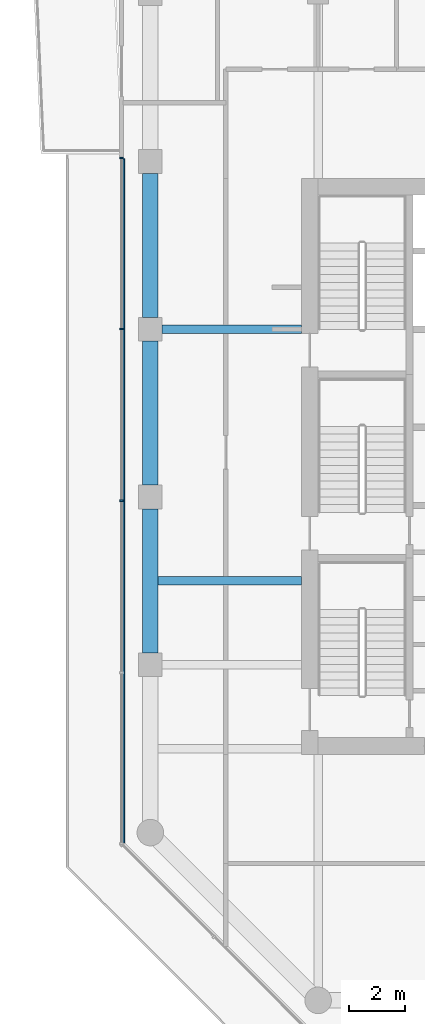
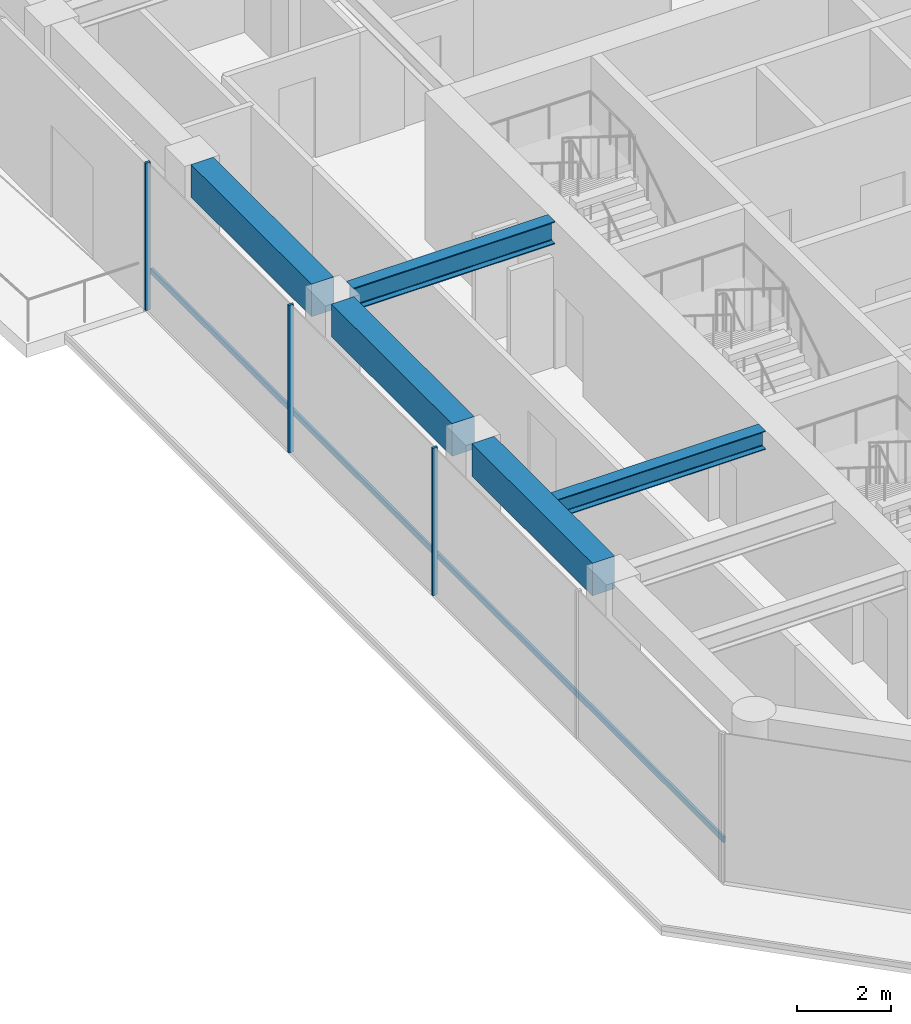
# One storey, part 5 of 21: 5 beams, 4 members, 1 element without a shape of its own.
"""IFC4 building model written with IfcOpenShell, lengths in metres."""

from ifc_helpers import new_model, si_unit, direction, frame, origin, origin_2d, place, context, subcontext, project, spatial, rectangle, i_section, extrude, material, layer, layer_set, material_profile, profile_set, type_object, element, aggregate, save


model = new_model("IFC4")

# Units and contexts
model_context = context("Model", 3, precision=1e-05, world=origin(), true_north=direction((0.0, 1.0)))
body_context = subcontext(model_context, "Body", "Model", "MODEL_VIEW")
ifc_project = project(units=[si_unit("LENGTHUNIT", "METRE"), si_unit("AREAUNIT", "SQUARE_METRE"), si_unit("VOLUMEUNIT", "CUBIC_METRE"), si_unit("PLANEANGLEUNIT", "RADIAN"), si_unit("MASSUNIT", "GRAM", prefix="KILO")], contexts=[model_context])

# Site, building, storey
site_placement = place(None, origin())
site = spatial("IfcSite", under=ifc_project, at=site_placement, CompositionType="ELEMENT")
building_placement = place(site_placement, origin())
building = spatial("IfcBuilding", under=site, at=building_placement, Name="Welwitschia Terrace Campus", CompositionType="ELEMENT")
storey_placement = place(building_placement, frame((0.0, 0.0, 180.199951171875)))
storey = spatial("IfcBuildingStorey", under=building, at=storey_placement, Name="L40", CompositionType="ELEMENT", Elevation=180.199951171875)

# Beam
ifc_material_1 = material(Name="Steel S355", Category="steel")
ifc_material_profile_1 = material_profile(ifc_material_1, i_section(OverallWidth=0.300048828125, OverallDepth=0.489990234375, WebThickness=0.011962890625, FlangeThickness=0.02294921875, FilletRadius=0.027099609375, at=origin_2d()))
ifc_profile_set_1 = profile_set([ifc_material_profile_1], Name="Steel S355")
beam_type_1 = type_object("IfcBeamType", Name="Interior girder HE 500 A", PredefinedType="BEAM", material=ifc_profile_set_1)
beam_1_placement = place(storey_placement, frame((-0.010009765625, 11.0, 3.60498046875), z_axis=(1.0, 0.0, 0.0), x_axis=(0.0, 1.0, 0.0)))
element("IfcBeam", 1, at=beam_1_placement, inside=storey, type_object=beam_type_1, Name="Girder GB4", PredefinedType="BEAM", context=body_context, shape_type="SweptSolid", body=[
    extrude(i_section(OverallWidth=0.300048828125, OverallDepth=0.489990234375, WebThickness=0.011962890625, FlangeThickness=0.02294921875, FilletRadius=0.027099609375, at=origin_2d()), origin(), (0.0, 0.0, 1.0), 5.408935546875),
])

# Curtain wall, members
ifc_material_2 = material(Name="Bronze anodised aluminium", Category="aluminium")
ifc_layer = layer(ifc_material_2, 0.1201171875)
ifc_layer_set = layer_set([ifc_layer], Name="Bronze anodised aluminium")
curtain_wall_type = type_object("IfcCurtainWallType", Name="Curtain wall CW2 tower 6000", PredefinedType="NOTDEFINED", material=ifc_layer_set)
curtain_wall_placement = place(storey_placement, origin())
curtain_wall = element("IfcCurtainWall", 2, at=curtain_wall_placement, inside=storey, type_object=curtain_wall_type, Name="CW L40.10.6", PredefinedType="NOTDEFINED")
ifc_material_3 = material(Name="Bronze anodised aluminium", Category="aluminium")
ifc_material_profile_2 = material_profile(ifc_material_3, rectangle(XDim=0.1201171875, YDim=0.06005859375, at=origin_2d()))
ifc_profile_set_2 = profile_set([ifc_material_profile_2], Name="Bronze anodised aluminium")
member_type_1 = type_object("IfcMemberType", Name="Mullion 60x120", PredefinedType="MULLION", material=ifc_profile_set_2)
member_1_placement = place(storey_placement, frame((-1.030029296875, 26.1259765625, 0.0), z_axis=(0.0, 0.0, 1.0), x_axis=(1.0, 0.0, 0.0)))
member_1 = element("IfcMember", 3, at=member_1_placement, type_object=member_type_1, Name="Mullion L40.10.6.0", PredefinedType="MULLION", context=body_context, shape_type="SweptSolid", body=[
    extrude(rectangle(XDim=0.1201171875, YDim=0.06005859375, at=origin_2d()), origin(), (0.0, 0.0, 1.0), 3.85009765625),
])
member_2_placement = place(storey_placement, frame((-1.030029296875, 20.01025390625, 0.0), z_axis=(0.0, 0.0, 1.0), x_axis=(1.0, 0.0, 0.0)))
member_2 = element("IfcMember", 4, at=member_2_placement, type_object=member_type_1, Name="Mullion L40.10.6.1", PredefinedType="MULLION", context=body_context, shape_type="SweptSolid", body=[
    extrude(rectangle(XDim=0.1201171875, YDim=0.06005859375, at=origin_2d()), origin(), (0.0, 0.0, 1.0), 3.85009765625),
])
member_3_placement = place(storey_placement, frame((-1.030029296875, 13.86474609375, 0.0), z_axis=(0.0, 0.0, 1.0), x_axis=(1.0, 0.0, 0.0)))
member_3 = element("IfcMember", 5, at=member_3_placement, type_object=member_type_1, Name="Mullion L40.10.6.2", PredefinedType="MULLION", context=body_context, shape_type="SweptSolid", body=[
    extrude(rectangle(XDim=0.1201171875, YDim=0.06005859375, at=origin_2d()), origin(), (0.0, 0.0, 1.0), 3.85009765625),
])

# Beams
ifc_material_4 = material(Name="Steel S355", Category="steel")
ifc_material_profile_3 = material_profile(ifc_material_4, i_section(OverallWidth=0.300048828125, OverallDepth=0.590087890625, WebThickness=0.012939453125, FlangeThickness=0.02490234375, FilletRadius=0.027099609375, at=origin_2d()))
ifc_profile_set_3 = profile_set([ifc_material_profile_3], Name="Steel S355")
beam_type_2 = type_object("IfcBeamType", Name="Primary beam HE 600 A", PredefinedType="BEAM", material=ifc_profile_set_3)
beam_2_placement = place(storey_placement, frame((0.425537109375, 20.0, 3.554931640625), z_axis=(1.0, 0.0, 0.0), x_axis=(0.0, 1.0, 0.0)))
element("IfcBeam", 6, at=beam_2_placement, inside=storey, type_object=beam_type_2, Name="Primary beam PB4", PredefinedType="BEAM", context=body_context, shape_type="SweptSolid", body=[
    extrude(i_section(OverallWidth=0.300048828125, OverallDepth=0.590087890625, WebThickness=0.012939453125, FlangeThickness=0.02490234375, FilletRadius=0.027099609375, at=origin_2d()), origin(), (0.0, 0.0, 1.0), 4.974365234375),
])
ifc_material_5 = material(Name="Concrete C50/60", Category="concrete")
ifc_material_profile_4 = material_profile(ifc_material_5, rectangle(XDim=0.550048828125, YDim=0.85009765625, at=origin_2d()))
ifc_profile_set_4 = profile_set([ifc_material_profile_4], Name="Concrete C50/60")
beam_type_3 = type_object("IfcBeamType", Name="Ring spandrel 550x850", PredefinedType="SPANDREL", material=ifc_profile_set_4)
for number, where, z_axis, x_axis, name in (
    (7, (0.0, 25.574462890625, 3.425048828125), (0.0, -1.0, 0.0), (1.0, 0.0, 0.0), "Spandrel SP3"),
    (8, (0.0, 19.574462890625, 3.425048828125), (0.0, -1.0, 0.0), (1.0, 0.0, 0.0), "Spandrel SP3"),
    (9, (0.0, 13.574462890625, 3.425048828125), (0.0, -1.0, 0.0), (1.0, 0.0, 0.0), "Spandrel SP3"),
):
    element("IfcBeam", number, at=place(storey_placement, frame(where, z_axis=z_axis, x_axis=x_axis)), inside=storey, type_object=beam_type_3, Name=name, PredefinedType="SPANDREL", context=body_context, shape_type="SweptSolid", body=[
        extrude(rectangle(XDim=0.550048828125, YDim=0.85009765625, at=origin_2d()), origin(), (0.0, 0.0, 1.0), 5.14892578125),
    ])

# Member
ifc_material_6 = material(Name="Bronze anodised aluminium", Category="aluminium")
ifc_material_profile_5 = material_profile(ifc_material_6, rectangle(XDim=0.06005859375, YDim=0.14990234375, at=origin_2d()))
ifc_profile_set_5 = profile_set([ifc_material_profile_5], Name="Bronze anodised aluminium")
member_type_2 = type_object("IfcMemberType", Name="Transom 60x150", PredefinedType="USERDEFINED", material=ifc_profile_set_5)
member_4_placement = place(storey_placement, frame((-0.93994140625, 26.095947265625, 1.0), z_axis=(0.0, -1.0, 0.0), x_axis=(1.0, 0.0, 0.0)))
member_4 = element("IfcMember", 10, at=member_4_placement, type_object=member_type_2, Name="Transom L40.10.6", ObjectType="TRANSOM", PredefinedType="USERDEFINED", context=body_context, shape_type="SweptSolid", body=[
    extrude(rectangle(XDim=0.06005859375, YDim=0.14990234375, at=origin_2d()), origin(), (0.0, 0.0, 1.0), 24.462646484375),
])

aggregate(curtain_wall, [member_1, member_2, member_3, member_4])

save(model, "model.ifc")
